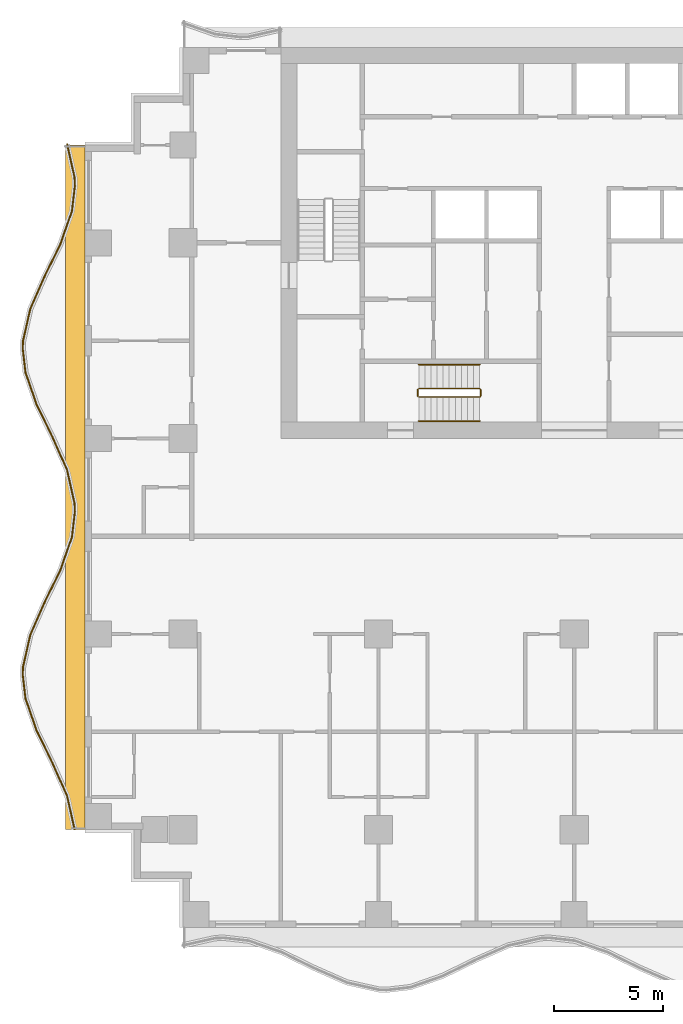
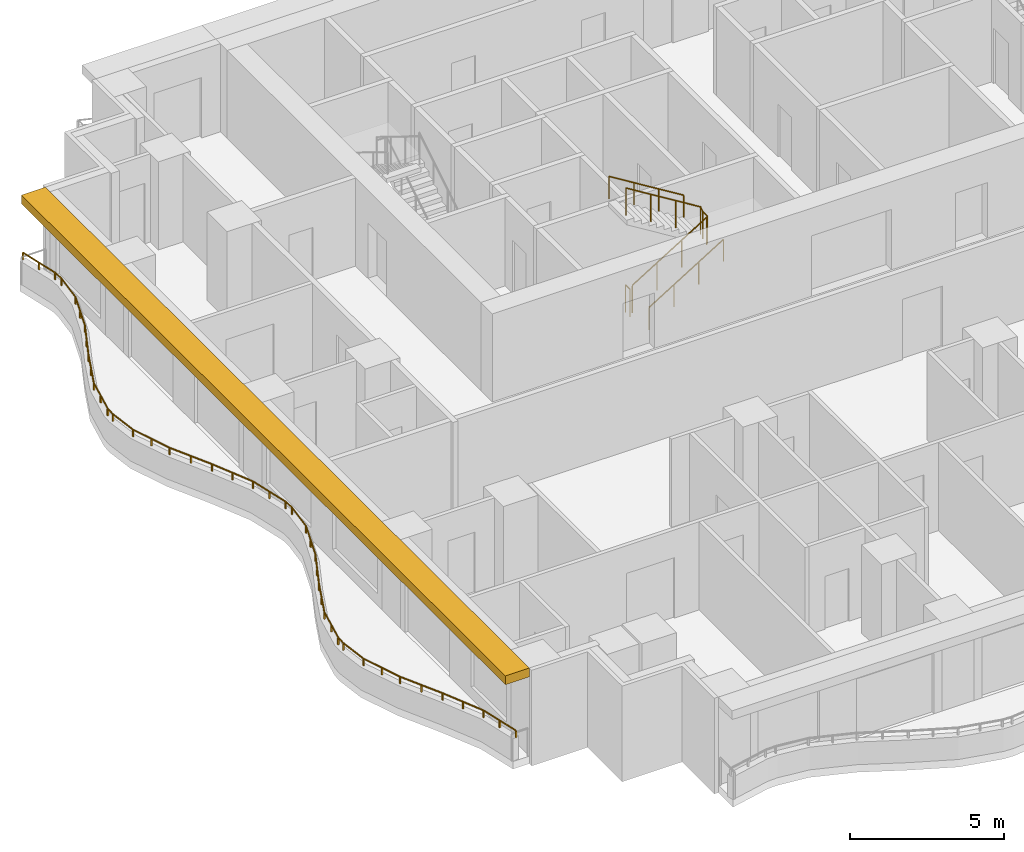
# One storey, part 8 of 10: 5 railings, 1 shading device.
"""IFC4 building model written with IfcOpenShell, lengths in metres."""

import ifcopenshell
import ifcopenshell.guid

model = None  # the IFC model being written
_history = None  # IfcOwnerHistory: only IFC2X3 demands one
_inside = {}  # id of a spatial element -> (the spatial element, [elements in it])
_under = {}  # id of a project, library or spatial element -> (it, [spatial elements below it])
_declared = {}  # id of a project -> (the project, [libraries it declares])
_typed = {}  # id of a type object -> (the type object, [elements of that type])
_made_of = {}  # id of a material, layer set ... -> (it, [elements and type objects made of it])


def new_model(schema):
    """Start an empty IFC model of exactly this schema.

    Asked for "IFC4X3", IfcOpenShell would pick the latest addendum, in which some entities
    have other attributes; the version numbers below select the first issue.
    IFC2X3 requires an IfcOwnerHistory on every rooted entity: one is made here for all.
    """
    global model, _history
    if schema == "IFC4X3":
        model = ifcopenshell.file(schema_version=(4, 3, 0, 0))
    else:
        model = ifcopenshell.file(schema=schema)
    _inside.clear()
    _under.clear()
    _declared.clear()
    _typed.clear()
    _made_of.clear()
    _history = None
    if model.schema == "IFC2X3":
        org = make("IfcOrganization", Name="unknown")
        user = make(
            "IfcPersonAndOrganization",
            ThePerson=make("IfcPerson", FamilyName="unknown"),
            TheOrganization=org,
        )
        app = make(
            "IfcApplication",
            ApplicationDeveloper=org,
            Version="unknown",
            ApplicationFullName="unknown",
            ApplicationIdentifier="unknown",
        )
        _history = make(
            "IfcOwnerHistory",
            OwningUser=user,
            OwningApplication=app,
            ChangeAction="ADDED",
            CreationDate=0,
        )
    return model


def make(cls, **values):
    """One entity of the class cls with the attributes given. An attribute that is None is left unset."""
    return model.create_entity(
        cls, **{name: value for name, value in values.items() if value is not None}
    )


def rooted(cls, **values):
    """An entity with a GlobalId (a new one), such as an element, a storey or a relation."""
    return make(cls, GlobalId=ifcopenshell.guid.new(), OwnerHistory=_history, **values)


def si_unit(unit_type, name, prefix=None):
    """IfcSIUnit, for example si_unit("LENGTHUNIT", "METRE", prefix="MILLI")."""
    return make("IfcSIUnit", UnitType=unit_type, Prefix=prefix, Name=name)


def assignment(units):
    """IfcUnitAssignment: the units of a project."""
    return None if units is None else make("IfcUnitAssignment", Units=units)


def point(xyz):
    """IfcCartesianPoint."""
    return None if xyz is None else make("IfcCartesianPoint", Coordinates=xyz)


def direction(xyz):
    """IfcDirection."""
    return None if xyz is None else make("IfcDirection", DirectionRatios=xyz)


def frame(location, z_axis=None, x_axis=None):
    """IfcAxis2Placement3D, a coordinate frame: its origin and axes. An axis left out is left unset."""
    return make(
        "IfcAxis2Placement3D",
        Location=point(location),
        Axis=direction(z_axis),
        RefDirection=direction(x_axis),
    )


def frame_2d(location, x_axis=None):
    """IfcAxis2Placement2D, a coordinate frame in the plane: its origin and x axis."""
    return make(
        "IfcAxis2Placement2D", Location=point(location), RefDirection=direction(x_axis)
    )


def origin():
    """The frame at (0, 0, 0) with its axes left unset."""
    return frame((0.0, 0.0, 0.0))


def origin_2d():
    """The frame at (0, 0) in the plane with its x axis left unset."""
    return frame_2d((0.0, 0.0))


def place(relative_to, where):
    """IfcLocalPlacement: puts the frame where relative to a parent placement (None: the world)."""
    return make(
        "IfcLocalPlacement", PlacementRelTo=relative_to, RelativePlacement=where
    )


def context(
    kind, dimensions, precision=None, world=None, true_north=None, identifier=None
):
    """IfcGeometricRepresentationContext, for example the 3D "Model" context."""
    return make(
        "IfcGeometricRepresentationContext",
        ContextIdentifier=identifier,
        ContextType=kind,
        CoordinateSpaceDimension=dimensions,
        Precision=precision,
        WorldCoordinateSystem=world,
        TrueNorth=true_north,
    )


def subcontext(parent, identifier, kind, view, scale=None):
    """IfcGeometricRepresentationSubContext, for example "Body" below "Model"."""
    return make(
        "IfcGeometricRepresentationSubContext",
        ContextIdentifier=identifier,
        ContextType=kind,
        ParentContext=parent,
        TargetScale=scale,
        TargetView=view,
    )


def project(units=None, contexts=None):
    """IfcProject with its units and contexts."""
    return rooted(
        "IfcProject",
        Name="project",
        RepresentationContexts=contexts,
        UnitsInContext=assignment(units),
    )


def spatial(cls, under=None, at=None, **own):
    """A site, building, storey or space (cls), placed at a placement, below another one or the project."""
    s = rooted(cls, ObjectPlacement=at, **own)
    if under is not None:
        _under.setdefault(under.id(), (under, []))[1].append(s)
    return s


def polyline(points):
    """IfcPolyline through the points."""
    return make("IfcPolyline", Points=[point(p) for p in points])


def profile(cls, at=None, kind="AREA", **sizes):
    """A parametric profile (cls). Its sizes go by their IFC names, for example OverallWidth=200.0."""
    return make(cls, ProfileType=kind, Position=at, **sizes)


def rectangle(**sizes):
    """IfcRectangleProfileDef."""
    return profile("IfcRectangleProfileDef", **sizes)


def circle(**sizes):
    """IfcCircleProfileDef."""
    return profile("IfcCircleProfileDef", **sizes)


def outline(outer, holes=None, kind="AREA"):
    """IfcArbitraryClosedProfileDef: a profile drawn as a closed curve; with holes, ...WithVoids."""
    if holes is None:
        return make("IfcArbitraryClosedProfileDef", ProfileType=kind, OuterCurve=outer)
    return make(
        "IfcArbitraryProfileDefWithVoids",
        ProfileType=kind,
        OuterCurve=outer,
        InnerCurves=holes,
    )


def extrude(swept, where, along, depth):
    """IfcExtrudedAreaSolid: the profile swept, set in the frame where, extruded along a direction by depth."""
    return make(
        "IfcExtrudedAreaSolid",
        SweptArea=swept,
        Position=where,
        ExtrudedDirection=direction(along),
        Depth=depth,
    )


def shape(context_of_items, identifier, shape_type, items):
    """IfcShapeRepresentation: the items that make up one representation, for example the "Body"."""
    return make(
        "IfcShapeRepresentation",
        ContextOfItems=context_of_items,
        RepresentationIdentifier=identifier,
        RepresentationType=shape_type,
        Items=items,
    )


def material(Name=None, Category=None):
    """IfcMaterial."""
    return make("IfcMaterial", Name=Name, Category=Category)


def layer(
    of_material, thickness, ventilated=None, Name=None, Category=None, Priority=None
):
    """IfcMaterialLayer: one layer of a wall or slab, of a material (None: an air gap)."""
    return make(
        "IfcMaterialLayer",
        Material=of_material,
        LayerThickness=thickness,
        IsVentilated=ventilated,
        Name=Name,
        Category=Category,
        Priority=Priority,
    )


def layer_set(layers, Name=None):
    """IfcMaterialLayerSet."""
    return make("IfcMaterialLayerSet", MaterialLayers=layers, LayerSetName=Name)


def made_of(thing, what):
    """Note that an element or type object is made of a material, layer set ...; save() writes the relation."""
    if what is not None:
        _made_of.setdefault(what.id(), (what, []))[1].append(thing)
    return thing


def type_object(cls, material=None, **own):
    """A type object (cls), such as IfcWallType, which elements share."""
    return made_of(rooted(cls, **own), material)


def element(
    cls,
    number,
    at=None,
    inside=None,
    cuts=None,
    type_object=None,
    material=None,
    context=None,
    identifier="Body",
    shape_type=None,
    held_by="IfcProductDefinitionShape",
    body=None,
    shapes=None,
    **own,
):
    """One element of the class cls, such as IfcWall. Its Tag is "e" and its number.

    at: its placement. inside: the storey or other place that contains it. cuts: it is an
    opening in that element (IfcRelVoidsElement). A single representation is given by context,
    identifier, shape_type and body (its items); several are given by shapes. held_by: the class
    of the entity that holds the representations. save() writes the other relations.
    """
    e = rooted(cls, Tag="e%d" % number, ObjectPlacement=at, **own)
    if body is not None:
        shapes = [shape(context, identifier, shape_type, body)]
    if shapes is not None:
        e.Representation = make(held_by, Representations=shapes)
    if inside is not None:
        _inside.setdefault(inside.id(), (inside, []))[1].append(e)
    if cuts is not None:
        rooted(
            "IfcRelVoidsElement", RelatingBuildingElement=cuts, RelatedOpeningElement=e
        )
    if type_object is not None:
        _typed.setdefault(type_object.id(), (type_object, []))[1].append(e)
    return made_of(e, material)


def aggregate(whole, parts):
    """IfcRelAggregates: a whole, such as a stair, and the parts it consists of."""
    return rooted("IfcRelAggregates", RelatingObject=whole, RelatedObjects=parts)


def save(model, path):
    """Write the relations noted so far, then the file.

    IfcRelAggregates (storeys below a building ...), IfcRelContainedInSpatialStructure (elements
    in a storey), IfcRelDefinesByType, IfcRelAssociatesMaterial and IfcRelDeclares: one each for
    every whole, place, type object, material and project.
    """
    for whole, parts in _under.values():
        aggregate(whole, parts)
    for where, things in _inside.values():
        rooted(
            "IfcRelContainedInSpatialStructure",
            RelatedElements=things,
            RelatingStructure=where,
        )
    for kind, things in _typed.values():
        rooted("IfcRelDefinesByType", RelatedObjects=things, RelatingType=kind)
    for what, things in _made_of.values():
        rooted("IfcRelAssociatesMaterial", RelatedObjects=things, RelatingMaterial=what)
    for by, libraries in _declared.values():
        rooted("IfcRelDeclares", RelatingContext=by, RelatedDefinitions=libraries)
    model.write(path)


model = new_model("IFC4")

# Units and contexts
model_context = context("Model", 3, precision=1e-05, world=origin(), true_north=direction((0.0, 1.0)))
body_context = subcontext(model_context, "Body", "Model", "MODEL_VIEW")
ifc_project = project(units=[si_unit("LENGTHUNIT", "METRE"), si_unit("AREAUNIT", "SQUARE_METRE"), si_unit("VOLUMEUNIT", "CUBIC_METRE"), si_unit("PLANEANGLEUNIT", "RADIAN"), si_unit("MASSUNIT", "GRAM", prefix="KILO")], contexts=[model_context])

# Site, building, storey
site_placement = place(None, origin())
site = spatial("IfcSite", under=ifc_project, at=site_placement, CompositionType="ELEMENT")
building_placement = place(site_placement, origin())
building = spatial("IfcBuilding", under=site, at=building_placement, Name="Orbiselva Terraces", CompositionType="ELEMENT")
storey_placement = place(building_placement, frame((0.0, 0.0, 132.6)))
storey = spatial("IfcBuildingStorey", under=building, at=storey_placement, Name="L33", CompositionType="ELEMENT", Elevation=132.6)

# Railings
ifc_material_1 = material(Name="Stainless steel", Category="steel")
railing_type_1 = type_object("IfcRailingType", Name="CORE-GUARD-1100", PredefinedType="GUARDRAIL", material=ifc_material_1)
railing_1_placement = place(storey_placement, frame((-7.15, 6.4, 0.172727)))
element("IfcRailing", 1, at=railing_1_placement, inside=storey, type_object=railing_type_1, Name="L33 S3 stair guard 1", PredefinedType="GUARDRAIL", context=body_context, shape_type="SweptSolid", body=[
    extrude(circle(Radius=0.024, at=origin_2d()), frame((0.0, 0.0, 1.081), z_axis=(0.851088519012, 0.0, 0.52502222125), x_axis=(0.0, 1.0, 0.0)), (0.0, 0.0, 1.0), 3.289905),
    extrude(circle(Radius=0.024, at=origin_2d()), frame((2.8, 0.0, 2.808273), z_axis=(0.707106781187, 0.707106781187, 0.0), x_axis=(-0.707106781187, 0.707106781187, 0.0)), (0.0, 0.0, 1.0), 0.070711),
    extrude(circle(Radius=0.024, at=origin_2d()), frame((2.85, 0.05, 2.808273), z_axis=(0.0, 1.0, 0.0), x_axis=(-1.0, 0.0, 0.0)), (0.0, 0.0, 1.0), 0.3),
    extrude(circle(Radius=0.024, at=origin_2d()), frame((2.85, 0.35, 2.808273), z_axis=(-0.267894925557, 0.267894925557, 0.925453736133), x_axis=(-0.707106781187, -0.707106781187, 0.0)), (0.0, 0.0, 1.0), 0.18664),
    extrude(circle(Radius=0.024, at=origin_2d()), frame((2.8, 0.4, 2.981), z_axis=(-0.851088519012, 0.0, 0.52502222125), x_axis=(0.0, -1.0, 0.0)), (0.0, 0.0, 1.0), 3.289905),
    extrude(circle(Radius=0.021, at=origin_2d()), origin(), (0.0, 0.0, 1.0), 1.057),
    extrude(circle(Radius=0.021, at=origin_2d()), frame((0.933333, 0.0, 0.575758)), (0.0, 0.0, 1.0), 1.057),
    extrude(circle(Radius=0.021, at=origin_2d()), frame((1.866667, 0.0, 1.151515)), (0.0, 0.0, 1.0), 1.057),
    extrude(circle(Radius=0.021, at=origin_2d()), frame((2.8, 0.0, 1.727273)), (0.0, 0.0, 1.0), 1.057),
    extrude(circle(Radius=0.021, at=origin_2d()), frame((2.85, 0.05, 1.727273)), (0.0, 0.0, 1.0), 1.057),
    extrude(circle(Radius=0.021, at=origin_2d()), frame((2.85, 0.35, 1.727273)), (0.0, 0.0, 1.0), 1.057),
    extrude(circle(Radius=0.021, at=origin_2d()), frame((2.8, 0.4, 1.9)), (0.0, 0.0, 1.0), 1.057),
    extrude(circle(Radius=0.021, at=origin_2d()), frame((1.866667, 0.4, 2.475758)), (0.0, 0.0, 1.0), 1.057),
    extrude(circle(Radius=0.021, at=origin_2d()), frame((0.933333, 0.4, 3.051515)), (0.0, 0.0, 1.0), 1.057),
    extrude(circle(Radius=0.021, at=origin_2d()), frame((0.0, 0.4, 3.627273)), (0.0, 0.0, 1.0), 1.057),
])
railing_2_placement = place(storey_placement, frame((-7.2, 6.45, 0.0)))
element("IfcRailing", 2, at=railing_2_placement, inside=storey, type_object=railing_type_1, Name="L33 S3 stair guard 2", PredefinedType="GUARDRAIL", context=body_context, shape_type="SweptSolid", body=[
    extrude(circle(Radius=0.024, at=origin_2d()), frame((0.0, 0.0, 1.081), z_axis=(0.0, 1.0, 0.0), x_axis=(-1.0, 0.0, 0.0)), (0.0, 0.0, 1.0), 0.3),
    extrude(circle(Radius=0.021, at=origin_2d()), origin(), (0.0, 0.0, 1.0), 1.057),
    extrude(circle(Radius=0.021, at=origin_2d()), frame((0.0, 0.3, 0.0)), (0.0, 0.0, 1.0), 1.057),
])
railing_type_2 = type_object("IfcRailingType", Name="CORE-HANDRAIL-900", PredefinedType="HANDRAIL", material=ifc_material_1)
railing_3_placement = place(storey_placement, frame((-7.15, 5.3, 0.172727)))
element("IfcRailing", 3, at=railing_3_placement, inside=storey, type_object=railing_type_2, Name="L33 S3 stair handrail 1", PredefinedType="HANDRAIL", context=body_context, shape_type="SweptSolid", body=[
    extrude(circle(Radius=0.024, at=origin_2d()), frame((0.0, 0.0, 0.876), z_axis=(0.851088519012, 0.0, 0.52502222125), x_axis=(0.0, 1.0, 0.0)), (0.0, 0.0, 1.0), 3.289905),
    extrude(circle(Radius=0.021, at=origin_2d()), origin(), (0.0, 0.0, 1.0), 0.852),
    extrude(circle(Radius=0.021, at=origin_2d()), frame((0.933333, 0.0, 0.575758)), (0.0, 0.0, 1.0), 0.852),
    extrude(circle(Radius=0.021, at=origin_2d()), frame((1.866667, 0.0, 1.151515)), (0.0, 0.0, 1.0), 0.852),
    extrude(circle(Radius=0.021, at=origin_2d()), frame((2.8, 0.0, 1.727273)), (0.0, 0.0, 1.0), 0.852),
])
railing_4_placement = place(storey_placement, frame((-4.35, 7.9, 2.072727)))
element("IfcRailing", 4, at=railing_4_placement, inside=storey, type_object=railing_type_2, Name="L33 S3 stair handrail 2", PredefinedType="HANDRAIL", context=body_context, shape_type="SweptSolid", body=[
    extrude(circle(Radius=0.024, at=origin_2d()), frame((0.0, 0.0, 0.876), z_axis=(-0.851088519012, 0.0, 0.52502222125), x_axis=(0.0, -1.0, 0.0)), (0.0, 0.0, 1.0), 3.289905),
    extrude(circle(Radius=0.021, at=origin_2d()), origin(), (0.0, 0.0, 1.0), 0.852),
    extrude(circle(Radius=0.021, at=origin_2d()), frame((-0.933333, 0.0, 0.575758)), (0.0, 0.0, 1.0), 0.852),
    extrude(circle(Radius=0.021, at=origin_2d()), frame((-1.866667, 0.0, 1.151515)), (0.0, 0.0, 1.0), 0.852),
    extrude(circle(Radius=0.021, at=origin_2d()), frame((-2.8, 0.0, 1.727273)), (0.0, 0.0, 1.0), 0.852),
])
ifc_material_2 = material(Name="Bonded two-ply safety glass balustrade, stainless steel posts", Category="steel")
railing_type_3 = type_object("IfcRailingType", Name="ENV-BALUSTRADE-1200", PredefinedType="BALUSTRADE", material=ifc_material_2)
railing_5_placement = place(storey_placement, frame((-23.329507, 18.027377, 0.9)))
element("IfcRailing", 5, at=railing_5_placement, inside=storey, type_object=railing_type_3, Name="Balcony balustrade L33 W", PredefinedType="BALUSTRADE", context=body_context, shape_type="SweptSolid", body=[
    extrude(outline(polyline([(0.028868, 0.0), (0.014434, 0.025), (-0.014434, 0.025), (-0.028868, 0.0), (-0.014434, -0.025), (0.014434, -0.025), (0.028868, 0.0)])), frame((0.0, 0.0, 0.275), z_axis=(0.219015484484, -0.97572138316, 0.0), x_axis=(0.97572138316, 0.219015484484, 0.0)), (0.0, 0.0, 1.0), 1.548694),
    extrude(outline(polyline([(0.028868, 0.0), (0.014434, 0.025), (-0.014434, 0.025), (-0.028868, 0.0), (-0.014434, -0.025), (0.014434, -0.025), (0.028868, 0.0)])), frame((0.339188, -1.511094, 0.275), z_axis=(0.03936915532, -0.999224734286, 0.0), x_axis=(0.999224734286, 0.03936915532, 0.0)), (0.0, 0.0, 1.0), 0.396376),
    extrude(outline(polyline([(0.028868, 0.0), (0.014434, 0.025), (-0.014434, 0.025), (-0.028868, 0.0), (-0.014434, -0.025), (0.014434, -0.025), (0.028868, 0.0)])), frame((0.354793, -1.907163, 0.275), z_axis=(-0.115482182324, -0.993309551734, 0.0), x_axis=(0.993309551734, -0.115482182324, 0.0)), (0.0, 0.0, 1.0), 1.156135),
    extrude(outline(polyline([(0.028868, 0.0), (0.014434, 0.025), (-0.014434, 0.025), (-0.028868, 0.0), (-0.014434, -0.025), (0.014434, -0.025), (0.028868, 0.0)])), frame((0.22128, -3.055563, 0.275), z_axis=(-0.330024597479, -0.943972332783, 0.0), x_axis=(0.943972332783, -0.330024597479, 0.0)), (0.0, 0.0, 1.0), 1.610253),
    extrude(outline(polyline([(0.028868, 0.0), (0.014434, 0.025), (-0.014434, 0.025), (-0.028868, 0.0), (-0.014434, -0.025), (0.014434, -0.025), (0.028868, 0.0)])), frame((-0.310143, -4.575597, 0.275), z_axis=(-0.438812048596, -0.898578870221, 0.0), x_axis=(0.898578870221, -0.438812048596, 0.0)), (0.0, 0.0, 1.0), 1.674225),
    extrude(outline(polyline([(0.028868, 0.0), (0.014434, 0.025), (-0.014434, 0.025), (-0.028868, 0.0), (-0.014434, -0.025), (0.014434, -0.025), (0.028868, 0.0)])), frame((-1.044813, -6.08002, 0.275), z_axis=(-0.403151245402, -0.915133363686, 0.0), x_axis=(0.915133363686, -0.403151245402, 0.0)), (0.0, 0.0, 1.0), 1.624475),
    extrude(outline(polyline([(0.028868, 0.0), (0.014434, 0.025), (-0.014434, 0.025), (-0.028868, 0.0), (-0.014434, -0.025), (0.014434, -0.025), (0.028868, 0.0)])), frame((-1.699722, -7.566631, 0.275), z_axis=(-0.219015740235, -0.975721325753, 0.0), x_axis=(0.975721325753, -0.219015740235, 0.0)), (0.0, 0.0, 1.0), 1.513782),
    extrude(outline(polyline([(0.028868, 0.0), (0.014434, 0.025), (-0.014434, 0.025), (-0.028868, 0.0), (-0.014434, -0.025), (0.014434, -0.025), (0.028868, 0.0)])), frame((-2.031264, -9.04366, 0.275), z_axis=(-0.039364150694, -0.999224931454, 0.0), x_axis=(0.999224931454, -0.039364150694, 0.0)), (0.0, 0.0, 1.0), 0.354206),
    extrude(outline(polyline([(0.028868, 0.0), (0.014434, 0.025), (-0.014434, 0.025), (-0.028868, 0.0), (-0.014434, -0.025), (0.014434, -0.025), (0.028868, 0.0)])), frame((-2.045207, -9.397591, 0.275), z_axis=(0.115481264762, -0.993309658409, 0.0), x_axis=(0.993309658409, 0.115481264762, 0.0)), (0.0, 0.0, 1.0), 1.10902),
    extrude(outline(polyline([(0.028868, 0.0), (0.014434, 0.025), (-0.014434, 0.025), (-0.028868, 0.0), (-0.014434, -0.025), (0.014434, -0.025), (0.028868, 0.0)])), frame((-1.917136, -10.499191, 0.275), z_axis=(0.330024754707, -0.943972277814, 0.0), x_axis=(0.943972277814, 0.330024754707, 0.0)), (0.0, 0.0, 1.0), 1.567807),
    extrude(outline(polyline([(0.028868, 0.0), (0.014434, 0.025), (-0.014434, 0.025), (-0.028868, 0.0), (-0.014434, -0.025), (0.014434, -0.025), (0.028868, 0.0)])), frame((-1.399721, -11.979157, 0.275), z_axis=(0.438811978768, -0.89857890432, 0.0), x_axis=(0.89857890432, 0.438811978768, 0.0)), (0.0, 0.0, 1.0), 1.66438),
    extrude(outline(polyline([(0.028868, 0.0), (0.014434, 0.025), (-0.014434, 0.025), (-0.028868, 0.0), (-0.014434, -0.025), (0.014434, -0.025), (0.028868, 0.0)])), frame((-0.669371, -13.474734, 0.275), z_axis=(0.403150874148, -0.915133527237, 0.0), x_axis=(0.915133527237, 0.403150874148, 0.0)), (0.0, 0.0, 1.0), 1.653736),
    extrude(outline(polyline([(0.028868, 0.0), (0.014434, 0.025), (-0.014434, 0.025), (-0.028868, 0.0), (-0.014434, -0.025), (0.014434, -0.025), (0.028868, 0.0)])), frame((-0.002666, -14.988123, 0.275), z_axis=(0.219015500924, -0.97572137947, 0.0), x_axis=(0.97572137947, 0.219015500924, 0.0)), (0.0, 0.0, 1.0), 1.560867),
    extrude(outline(polyline([(0.028868, 0.0), (0.014434, 0.025), (-0.014434, 0.025), (-0.028868, 0.0), (-0.014434, -0.025), (0.014434, -0.025), (0.028868, 0.0)])), frame((0.339188, -16.511094, 0.275), z_axis=(0.03936915532, -0.999224734286, 0.0), x_axis=(0.999224734286, 0.03936915532, 0.0)), (0.0, 0.0, 1.0), 0.396376),
    extrude(outline(polyline([(0.028868, 0.0), (0.014434, 0.025), (-0.014434, 0.025), (-0.028868, 0.0), (-0.014434, -0.025), (0.014434, -0.025), (0.028868, 0.0)])), frame((0.354793, -16.907163, 0.275), z_axis=(-0.115482182324, -0.993309551734, 0.0), x_axis=(0.993309551734, -0.115482182324, 0.0)), (0.0, 0.0, 1.0), 1.156135),
    extrude(outline(polyline([(0.028868, 0.0), (0.014434, 0.025), (-0.014434, 0.025), (-0.028868, 0.0), (-0.014434, -0.025), (0.014434, -0.025), (0.028868, 0.0)])), frame((0.22128, -18.055563, 0.275), z_axis=(-0.330024597479, -0.943972332783, 0.0), x_axis=(0.943972332783, -0.330024597479, 0.0)), (0.0, 0.0, 1.0), 1.610253),
    extrude(outline(polyline([(0.028868, 0.0), (0.014434, 0.025), (-0.014434, 0.025), (-0.028868, 0.0), (-0.014434, -0.025), (0.014434, -0.025), (0.028868, 0.0)])), frame((-0.310143, -19.575597, 0.275), z_axis=(-0.438812048596, -0.898578870221, 0.0), x_axis=(0.898578870221, -0.438812048596, 0.0)), (0.0, 0.0, 1.0), 1.674225),
    extrude(outline(polyline([(0.028868, 0.0), (0.014434, 0.025), (-0.014434, 0.025), (-0.028868, 0.0), (-0.014434, -0.025), (0.014434, -0.025), (0.028868, 0.0)])), frame((-1.044813, -21.08002, 0.275), z_axis=(-0.403151245402, -0.915133363686, 0.0), x_axis=(0.915133363686, -0.403151245402, 0.0)), (0.0, 0.0, 1.0), 1.624475),
    extrude(outline(polyline([(0.028868, 0.0), (0.014434, 0.025), (-0.014434, 0.025), (-0.028868, 0.0), (-0.014434, -0.025), (0.014434, -0.025), (0.028868, 0.0)])), frame((-1.699722, -22.566631, 0.275), z_axis=(-0.219015740235, -0.975721325753, 0.0), x_axis=(0.975721325753, -0.219015740235, 0.0)), (0.0, 0.0, 1.0), 1.513782),
    extrude(outline(polyline([(0.028868, 0.0), (0.014434, 0.025), (-0.014434, 0.025), (-0.028868, 0.0), (-0.014434, -0.025), (0.014434, -0.025), (0.028868, 0.0)])), frame((-2.031264, -24.04366, 0.275), z_axis=(-0.039364150694, -0.999224931454, 0.0), x_axis=(0.999224931454, -0.039364150694, 0.0)), (0.0, 0.0, 1.0), 0.354206),
    extrude(outline(polyline([(0.028868, 0.0), (0.014434, 0.025), (-0.014434, 0.025), (-0.028868, 0.0), (-0.014434, -0.025), (0.014434, -0.025), (0.028868, 0.0)])), frame((-2.045207, -24.397591, 0.275), z_axis=(0.115481264762, -0.993309658409, 0.0), x_axis=(0.993309658409, 0.115481264762, 0.0)), (0.0, 0.0, 1.0), 1.10902),
    extrude(outline(polyline([(0.028868, 0.0), (0.014434, 0.025), (-0.014434, 0.025), (-0.028868, 0.0), (-0.014434, -0.025), (0.014434, -0.025), (0.028868, 0.0)])), frame((-1.917136, -25.499191, 0.275), z_axis=(0.330024754707, -0.943972277814, 0.0), x_axis=(0.943972277814, 0.330024754707, 0.0)), (0.0, 0.0, 1.0), 1.567807),
    extrude(outline(polyline([(0.028868, 0.0), (0.014434, 0.025), (-0.014434, 0.025), (-0.028868, 0.0), (-0.014434, -0.025), (0.014434, -0.025), (0.028868, 0.0)])), frame((-1.399721, -26.979157, 0.275), z_axis=(0.438811978768, -0.89857890432, 0.0), x_axis=(0.89857890432, 0.438811978768, 0.0)), (0.0, 0.0, 1.0), 1.66438),
    extrude(outline(polyline([(0.028868, 0.0), (0.014434, 0.025), (-0.014434, 0.025), (-0.028868, 0.0), (-0.014434, -0.025), (0.014434, -0.025), (0.028868, 0.0)])), frame((-0.669371, -28.474734, 0.275), z_axis=(0.403150874148, -0.915133527237, 0.0), x_axis=(0.915133527237, 0.403150874148, 0.0)), (0.0, 0.0, 1.0), 1.653736),
    extrude(outline(polyline([(0.028868, 0.0), (0.014434, 0.025), (-0.014434, 0.025), (-0.028868, 0.0), (-0.014434, -0.025), (0.014434, -0.025), (0.028868, 0.0)])), frame((-0.002666, -29.988123, 0.275), z_axis=(0.219015634252, -0.975721349543, 0.0), x_axis=(0.975721349543, 0.219015634252, 0.0)), (0.0, 0.0, 1.0), 1.549497),
    extrude(rectangle(XDim=0.05, YDim=0.05, at=origin_2d()), origin(), (0.0, 0.0, 1.0), 0.25),
    extrude(rectangle(XDim=0.05, YDim=0.05, at=origin_2d()), frame((0.169594, -0.755547, 0.0)), (0.0, 0.0, 1.0), 0.25),
    extrude(rectangle(XDim=0.05, YDim=0.05, at=origin_2d()), frame((0.339188, -1.511094, 0.0)), (0.0, 0.0, 1.0), 0.25),
    extrude(rectangle(XDim=0.05, YDim=0.05, at=origin_2d()), frame((0.354793, -1.907163, 0.0)), (0.0, 0.0, 1.0), 0.25),
    extrude(rectangle(XDim=0.05, YDim=0.05, at=origin_2d()), frame((0.22128, -3.055563, 0.0)), (0.0, 0.0, 1.0), 0.25),
    extrude(rectangle(XDim=0.05, YDim=0.05, at=origin_2d()), frame((-0.044431, -3.81558, 0.0)), (0.0, 0.0, 1.0), 0.25),
    extrude(rectangle(XDim=0.05, YDim=0.05, at=origin_2d()), frame((-0.310143, -4.575597, 0.0)), (0.0, 0.0, 1.0), 0.25),
    extrude(rectangle(XDim=0.05, YDim=0.05, at=origin_2d()), frame((-0.677478, -5.327809, 0.0)), (0.0, 0.0, 1.0), 0.25),
    extrude(rectangle(XDim=0.05, YDim=0.05, at=origin_2d()), frame((-1.044813, -6.08002, 0.0)), (0.0, 0.0, 1.0), 0.25),
    extrude(rectangle(XDim=0.05, YDim=0.05, at=origin_2d()), frame((-1.372268, -6.823326, 0.0)), (0.0, 0.0, 1.0), 0.25),
    extrude(rectangle(XDim=0.05, YDim=0.05, at=origin_2d()), frame((-1.699722, -7.566631, 0.0)), (0.0, 0.0, 1.0), 0.25),
    extrude(rectangle(XDim=0.05, YDim=0.05, at=origin_2d()), frame((-1.865493, -8.305146, 0.0)), (0.0, 0.0, 1.0), 0.25),
    extrude(rectangle(XDim=0.05, YDim=0.05, at=origin_2d()), frame((-2.031264, -9.04366, 0.0)), (0.0, 0.0, 1.0), 0.25),
    extrude(rectangle(XDim=0.05, YDim=0.05, at=origin_2d()), frame((-2.045207, -9.397591, 0.0)), (0.0, 0.0, 1.0), 0.25),
    extrude(rectangle(XDim=0.05, YDim=0.05, at=origin_2d()), frame((-1.917136, -10.499191, 0.0)), (0.0, 0.0, 1.0), 0.25),
    extrude(rectangle(XDim=0.05, YDim=0.05, at=origin_2d()), frame((-1.658428, -11.239174, 0.0)), (0.0, 0.0, 1.0), 0.25),
    extrude(rectangle(XDim=0.05, YDim=0.05, at=origin_2d()), frame((-1.399721, -11.979157, 0.0)), (0.0, 0.0, 1.0), 0.25),
    extrude(rectangle(XDim=0.05, YDim=0.05, at=origin_2d()), frame((-1.034546, -12.726946, 0.0)), (0.0, 0.0, 1.0), 0.25),
    extrude(rectangle(XDim=0.05, YDim=0.05, at=origin_2d()), frame((-0.669371, -13.474734, 0.0)), (0.0, 0.0, 1.0), 0.25),
    extrude(rectangle(XDim=0.05, YDim=0.05, at=origin_2d()), frame((-0.336019, -14.231429, 0.0)), (0.0, 0.0, 1.0), 0.25),
    extrude(rectangle(XDim=0.05, YDim=0.05, at=origin_2d()), frame((-0.002666, -14.988123, 0.0)), (0.0, 0.0, 1.0), 0.25),
    extrude(rectangle(XDim=0.05, YDim=0.05, at=origin_2d()), frame((0.168261, -15.749608, 0.0)), (0.0, 0.0, 1.0), 0.25),
    extrude(rectangle(XDim=0.05, YDim=0.05, at=origin_2d()), frame((0.339188, -16.511094, 0.0)), (0.0, 0.0, 1.0), 0.25),
    extrude(rectangle(XDim=0.05, YDim=0.05, at=origin_2d()), frame((0.354793, -16.907163, 0.0)), (0.0, 0.0, 1.0), 0.25),
    extrude(rectangle(XDim=0.05, YDim=0.05, at=origin_2d()), frame((0.22128, -18.055563, 0.0)), (0.0, 0.0, 1.0), 0.25),
    extrude(rectangle(XDim=0.05, YDim=0.05, at=origin_2d()), frame((-0.044431, -18.81558, 0.0)), (0.0, 0.0, 1.0), 0.25),
    extrude(rectangle(XDim=0.05, YDim=0.05, at=origin_2d()), frame((-0.310143, -19.575597, 0.0)), (0.0, 0.0, 1.0), 0.25),
    extrude(rectangle(XDim=0.05, YDim=0.05, at=origin_2d()), frame((-0.677478, -20.327809, 0.0)), (0.0, 0.0, 1.0), 0.25),
    extrude(rectangle(XDim=0.05, YDim=0.05, at=origin_2d()), frame((-1.044813, -21.08002, 0.0)), (0.0, 0.0, 1.0), 0.25),
    extrude(rectangle(XDim=0.05, YDim=0.05, at=origin_2d()), frame((-1.372268, -21.823326, 0.0)), (0.0, 0.0, 1.0), 0.25),
    extrude(rectangle(XDim=0.05, YDim=0.05, at=origin_2d()), frame((-1.699722, -22.566631, 0.0)), (0.0, 0.0, 1.0), 0.25),
    extrude(rectangle(XDim=0.05, YDim=0.05, at=origin_2d()), frame((-1.865493, -23.305146, 0.0)), (0.0, 0.0, 1.0), 0.25),
    extrude(rectangle(XDim=0.05, YDim=0.05, at=origin_2d()), frame((-2.031264, -24.04366, 0.0)), (0.0, 0.0, 1.0), 0.25),
    extrude(rectangle(XDim=0.05, YDim=0.05, at=origin_2d()), frame((-2.045207, -24.397591, 0.0)), (0.0, 0.0, 1.0), 0.25),
    extrude(rectangle(XDim=0.05, YDim=0.05, at=origin_2d()), frame((-1.917136, -25.499191, 0.0)), (0.0, 0.0, 1.0), 0.25),
    extrude(rectangle(XDim=0.05, YDim=0.05, at=origin_2d()), frame((-1.658428, -26.239174, 0.0)), (0.0, 0.0, 1.0), 0.25),
    extrude(rectangle(XDim=0.05, YDim=0.05, at=origin_2d()), frame((-1.399721, -26.979157, 0.0)), (0.0, 0.0, 1.0), 0.25),
    extrude(rectangle(XDim=0.05, YDim=0.05, at=origin_2d()), frame((-1.034546, -27.726946, 0.0)), (0.0, 0.0, 1.0), 0.25),
    extrude(rectangle(XDim=0.05, YDim=0.05, at=origin_2d()), frame((-0.669371, -28.474734, 0.0)), (0.0, 0.0, 1.0), 0.25),
    extrude(rectangle(XDim=0.05, YDim=0.05, at=origin_2d()), frame((-0.336019, -29.231428, 0.0)), (0.0, 0.0, 1.0), 0.25),
    extrude(rectangle(XDim=0.05, YDim=0.05, at=origin_2d()), frame((-0.002666, -29.988123, 0.0)), (0.0, 0.0, 1.0), 0.25),
    extrude(rectangle(XDim=0.05, YDim=0.05, at=origin_2d()), frame((0.167016, -30.744062, 0.0)), (0.0, 0.0, 1.0), 0.25),
    extrude(rectangle(XDim=0.05, YDim=0.05, at=origin_2d()), frame((0.336698, -31.5, 0.0)), (0.0, 0.0, 1.0), 0.25),
])

# Shading device
ifc_material_3 = material(Name="Terracotta baguette sunshade", Category="masonry")
ifc_layer = layer(ifc_material_3, 0.35)
ifc_layer_set = layer_set([ifc_layer], Name="Terracotta baguette sunshade")
shading_device_type = type_object("IfcShadingDeviceType", Name="ENV-SUNSHADE-900x350", PredefinedType="USERDEFINED", material=ifc_layer_set)
shading_device_placement = place(storey_placement, frame((0.0, 0.0, 3.15)))
element("IfcShadingDevice", 6, at=shading_device_placement, inside=storey, type_object=shading_device_type, Name="Sunshade band L33 W", ObjectType="SUNSHADE", PredefinedType="USERDEFINED", context=body_context, shape_type="SweptSolid", body=[
    extrude(outline(polyline([(-23.4, 18.0), (-23.4, -13.5), (-22.5, -13.5), (-22.5, 18.0), (-23.4, 18.0)])), origin(), (0.0, 0.0, 1.0), 0.35),
])

save(model, "model.ifc")
